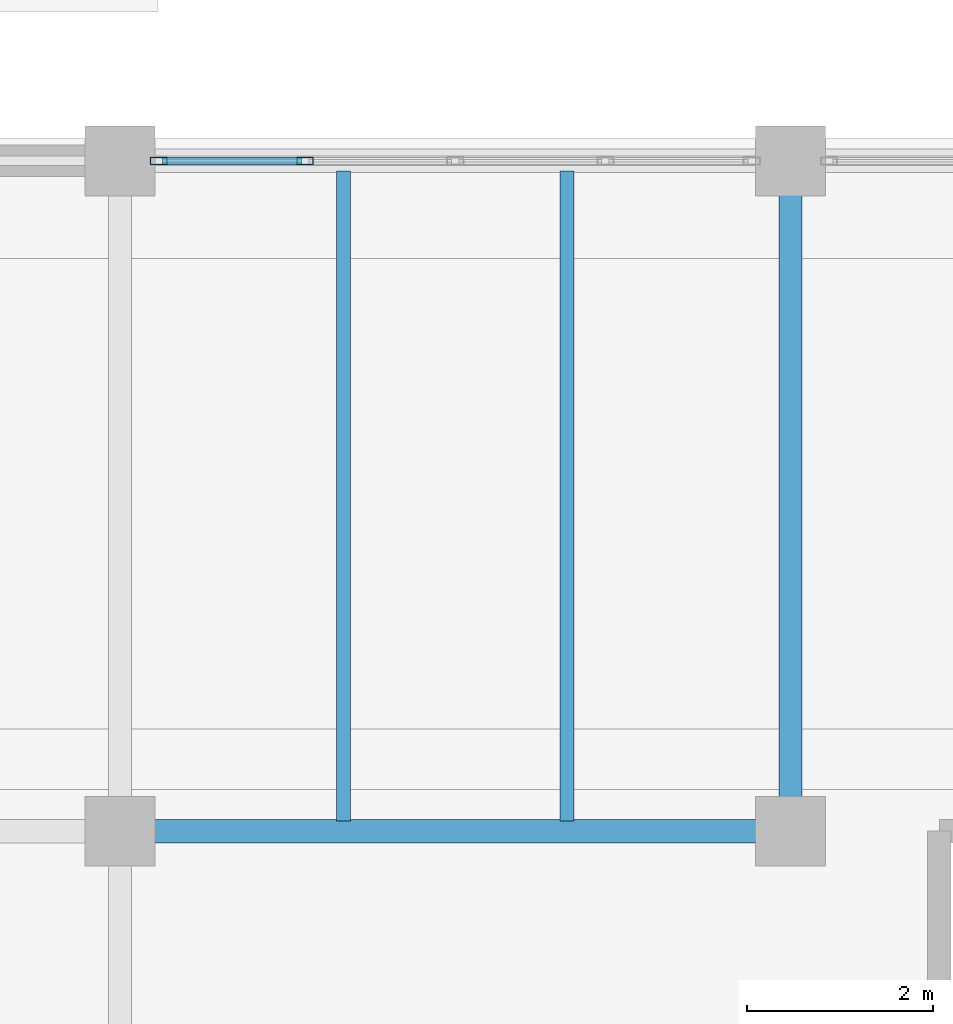
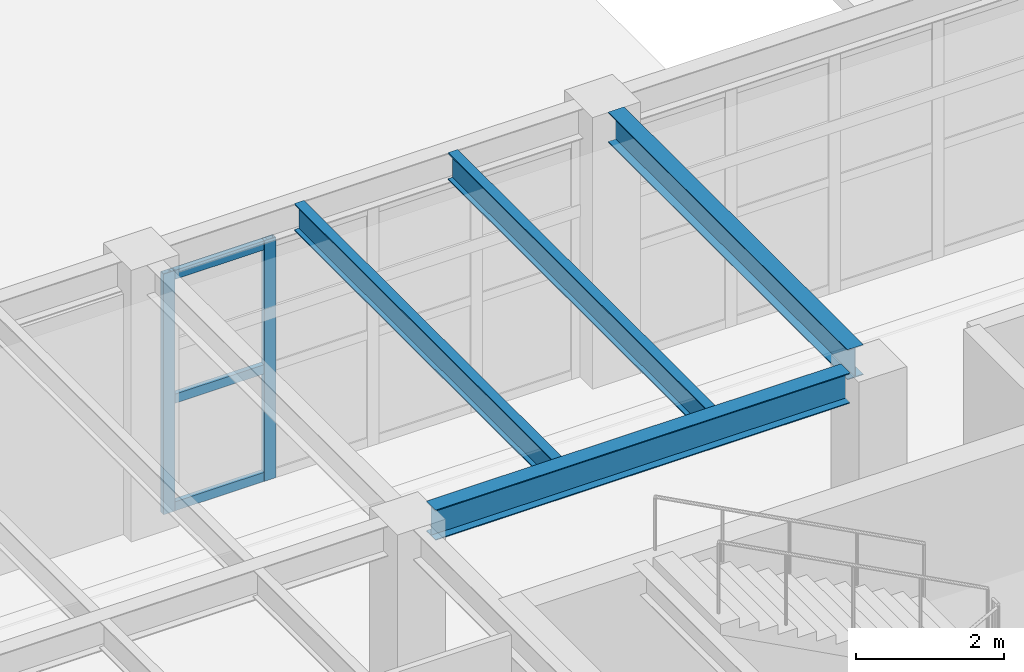
# One storey, part 11 of 39: 5 members, 4 beams, 1 element without a shape of its own.
"""IFC4 building model written with IfcOpenShell, lengths in metres."""

from ifc_helpers import new_model, si_unit, direction, frame, origin, origin_2d, place, context, subcontext, project, spatial, hollow_rectangle, i_section, extrude, material, layer, layer_set, material_profile, profile_set, type_object, element, aggregate, save


model = new_model("IFC4")

# Units and contexts
model_context = context("Model", 3, precision=1e-05, world=origin(), true_north=direction((0.0, 1.0)))
body_context = subcontext(model_context, "Body", "Model", "MODEL_VIEW")
ifc_project = project(units=[si_unit("LENGTHUNIT", "METRE"), si_unit("AREAUNIT", "SQUARE_METRE"), si_unit("VOLUMEUNIT", "CUBIC_METRE"), si_unit("PLANEANGLEUNIT", "RADIAN"), si_unit("MASSUNIT", "GRAM", prefix="KILO")], contexts=[model_context])

# Site, building, storey
site_placement = place(None, origin())
site = spatial("IfcSite", under=ifc_project, at=site_placement, CompositionType="ELEMENT")
building_placement = place(site_placement, origin())
building = spatial("IfcBuilding", under=site, at=building_placement, Name="Kandorven Conservatory and Botanical Research Centre", CompositionType="ELEMENT")
storey_placement = place(building_placement, origin())
storey = spatial("IfcBuildingStorey", under=building, at=storey_placement, Name="L00", CompositionType="ELEMENT", Elevation=0.0)

# Beams
ifc_material_1 = material(Name="Steel S355 (IS 2062 E350)", Category="steel")
ifc_material_profile_1 = material_profile(ifc_material_1, i_section(OverallWidth=0.25, OverallDepth=0.5, WebThickness=0.010009765625, FlangeThickness=0.0146484375, at=origin_2d()))
ifc_profile_set_1 = profile_set([ifc_material_profile_1], Name="Steel S355 (IS 2062 E350)")
beam_type_1 = type_object("IfcBeamType", Name="Beam_FG-02", PredefinedType="USERDEFINED", material=ifc_profile_set_1)
beam_1_placement = place(storey_placement, frame((49.56494140625, 20.39990234375, 4.22998046875), z_axis=(1.0, 0.0, 0.0), x_axis=(0.0, 1.0, 0.0)))
element("IfcBeam", 1, at=beam_1_placement, inside=storey, type_object=beam_type_1, Name="Primary girder FG-02 VIS L00", ObjectType="GIRDER", PredefinedType="USERDEFINED", context=body_context, shape_type="SweptSolid", body=[
    extrude(i_section(OverallWidth=0.25, OverallDepth=0.5, WebThickness=0.010009765625, FlangeThickness=0.0146484375, at=origin_2d()), origin(), (0.0, 0.0, 1.0), 6.469970703125),
])
beam_2_placement = place(storey_placement, frame((56.39990234375, 20.764892578125, 4.22998046875), z_axis=(0.0, 1.0, 0.0), x_axis=(-1.0, 0.0, 0.0)))
element("IfcBeam", 2, at=beam_2_placement, inside=storey, type_object=beam_type_1, Name="Primary girder FG-02 VIS L00", ObjectType="GIRDER", PredefinedType="USERDEFINED", context=body_context, shape_type="SweptSolid", body=[
    extrude(i_section(OverallWidth=0.25, OverallDepth=0.5, WebThickness=0.010009765625, FlangeThickness=0.0146484375, at=origin_2d()), origin(), (0.0, 0.0, 1.0), 6.47021484375),
])
ifc_material_2 = material(Name="Steel S355 (IS 2062 E350)", Category="steel")
ifc_material_profile_2 = material_profile(ifc_material_2, i_section(OverallWidth=0.14990234375, OverallDepth=0.449951171875, WebThickness=0.009521484375, FlangeThickness=0.017333984375, at=origin_2d()))
ifc_profile_set_2 = profile_set([ifc_material_profile_2], Name="Steel S355 (IS 2062 E350)")
beam_type_2 = type_object("IfcBeamType", Name="Beam_SB-04", PredefinedType="BEAM", material=ifc_profile_set_2)
for number, where, z_axis, x_axis, name in (
    (3, (51.60009765625, 20.510009765625, 4.2548828125), (0.0, 1.0, 0.0), (-1.0, 0.0, 0.0), "Composite secondary beam SB-04 VIS L00"),
    (4, (54.0, 20.510009765625, 4.2548828125), (0.0, 1.0, 0.0), (-1.0, 0.0, 0.0), "Composite secondary beam SB-04 VIS L00"),
):
    element("IfcBeam", number, at=place(storey_placement, frame(where, z_axis=z_axis, x_axis=x_axis)), inside=storey, type_object=beam_type_2, Name=name, PredefinedType="BEAM", context=body_context, shape_type="SweptSolid", body=[
        extrude(i_section(OverallWidth=0.14990234375, OverallDepth=0.449951171875, WebThickness=0.009521484375, FlangeThickness=0.017333984375, at=origin_2d()), origin(), (0.0, 0.0, 1.0), 6.97998046875),
    ])

# Curtain wall, members
ifc_material_3 = material(Name="Bronze anodised thermally broken aluminium", Category="aluminium")
ifc_layer = layer(ifc_material_3, 0.179931640625)
ifc_layer_set = layer_set([ifc_layer], Name="Bronze anodised thermally broken aluminium")
curtain_wall_type = type_object("IfcCurtainWallType", Name="CW_Unitised", PredefinedType="USERDEFINED", material=ifc_layer_set)
curtain_wall_placement = place(storey_placement, origin())
curtain_wall = element("IfcCurtainWall", 5, at=curtain_wall_placement, inside=storey, type_object=curtain_wall_type, Name="Visitor wing unitised curtain wall CW-VIS-N-L00-2", ObjectType="UNITISED GLAZING", PredefinedType="USERDEFINED")
ifc_material_4 = material(Name="Bronze anodised thermally broken aluminium", Category="aluminium")
ifc_material_profile_3 = material_profile(ifc_material_4, hollow_rectangle(XDim=0.080078125, YDim=0.179931640625, WallThickness=0.006103515625, at=origin_2d()))
ifc_profile_set_3 = profile_set([ifc_material_profile_3], Name="Bronze anodised thermally broken aluminium")
member_type_1 = type_object("IfcMemberType", Name="CW_Mullion", PredefinedType="MULLION", material=ifc_profile_set_3)
member_1_placement = place(storey_placement, frame((49.614990234375, 27.60009765625, 0.0), z_axis=(0.0, 0.0, 1.0), x_axis=(0.0, 1.0, 0.0)))
member_1 = element("IfcMember", 6, at=member_1_placement, type_object=member_type_1, Name="CW-01 mullion 1", PredefinedType="MULLION", context=body_context, shape_type="SweptSolid", body=[
    extrude(hollow_rectangle(XDim=0.080078125, YDim=0.179931640625, WallThickness=0.006103515625, at=origin_2d()), origin(), (0.0, 0.0, 1.0), 3.969970703125),
])
member_2_placement = place(storey_placement, frame((51.1875, 27.60009765625, 0.0), z_axis=(0.0, 0.0, 1.0), x_axis=(0.0, 1.0, 0.0)))
member_2 = element("IfcMember", 7, at=member_2_placement, type_object=member_type_1, Name="CW-01 mullion 2", PredefinedType="MULLION", context=body_context, shape_type="SweptSolid", body=[
    extrude(hollow_rectangle(XDim=0.080078125, YDim=0.179931640625, WallThickness=0.006103515625, at=origin_2d()), origin(), (0.0, 0.0, 1.0), 3.969970703125),
])
ifc_material_5 = material(Name="Bronze anodised thermally broken aluminium", Category="aluminium")
ifc_material_profile_4 = material_profile(ifc_material_5, hollow_rectangle(XDim=0.074951171875, YDim=0.14990234375, WallThickness=0.006103515625, at=origin_2d()))
ifc_profile_set_4 = profile_set([ifc_material_profile_4], Name="Bronze anodised thermally broken aluminium")
member_type_2 = type_object("IfcMemberType", Name="CW_Transom", PredefinedType="USERDEFINED", material=ifc_profile_set_4)
member_3_placement = place(storey_placement, frame((49.655029296875, 27.60009765625, 0.074951171875), z_axis=(1.0, 0.0, 0.0), x_axis=(0.0, 1.0, 0.0)))
member_3 = element("IfcMember", 8, at=member_3_placement, type_object=member_type_2, Name="CW-01 transom 1.1", ObjectType="TRANSOM", PredefinedType="USERDEFINED", context=body_context, shape_type="SweptSolid", body=[
    extrude(hollow_rectangle(XDim=0.074951171875, YDim=0.14990234375, WallThickness=0.006103515625, at=origin_2d()), origin(), (0.0, 0.0, 1.0), 1.492431640625),
])
member_4_placement = place(storey_placement, frame((49.655029296875, 27.60009765625, 1.85009765625), z_axis=(1.0, 0.0, 0.0), x_axis=(0.0, 1.0, 0.0)))
member_4 = element("IfcMember", 9, at=member_4_placement, type_object=member_type_2, Name="CW-01 transom 1.2", ObjectType="TRANSOM", PredefinedType="USERDEFINED", context=body_context, shape_type="SweptSolid", body=[
    extrude(hollow_rectangle(XDim=0.074951171875, YDim=0.14990234375, WallThickness=0.006103515625, at=origin_2d()), origin(), (0.0, 0.0, 1.0), 1.492431640625),
])
member_5_placement = place(storey_placement, frame((49.655029296875, 27.60009765625, 3.89501953125), z_axis=(1.0, 0.0, 0.0), x_axis=(0.0, 1.0, 0.0)))
member_5 = element("IfcMember", 10, at=member_5_placement, type_object=member_type_2, Name="CW-01 transom 1.3", ObjectType="TRANSOM", PredefinedType="USERDEFINED", context=body_context, shape_type="SweptSolid", body=[
    extrude(hollow_rectangle(XDim=0.074951171875, YDim=0.14990234375, WallThickness=0.006103515625, at=origin_2d()), origin(), (0.0, 0.0, 1.0), 1.492431640625),
])
aggregate(curtain_wall, [member_1, member_2, member_3, member_4, member_5])

save(model, "model.ifc")
